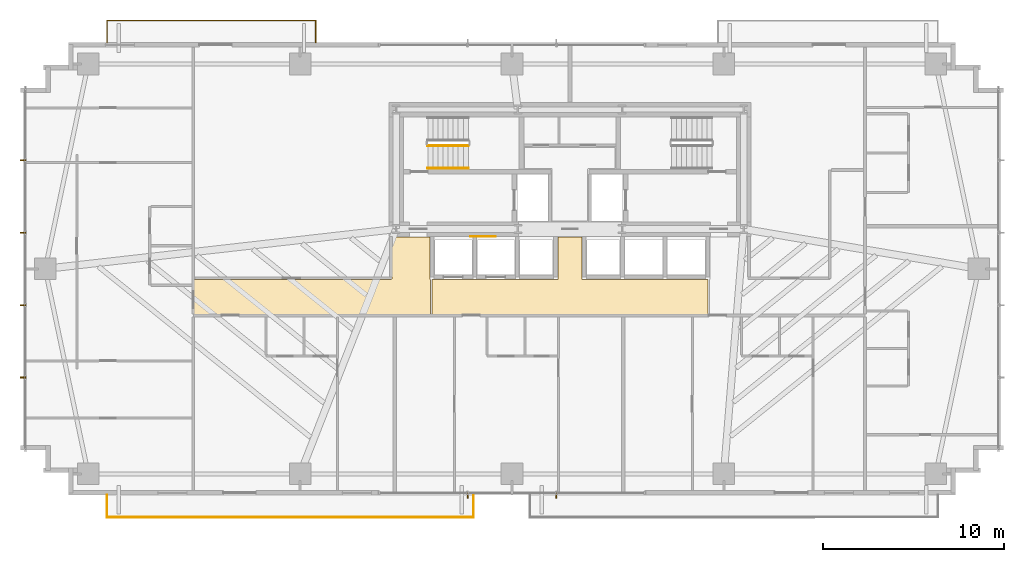
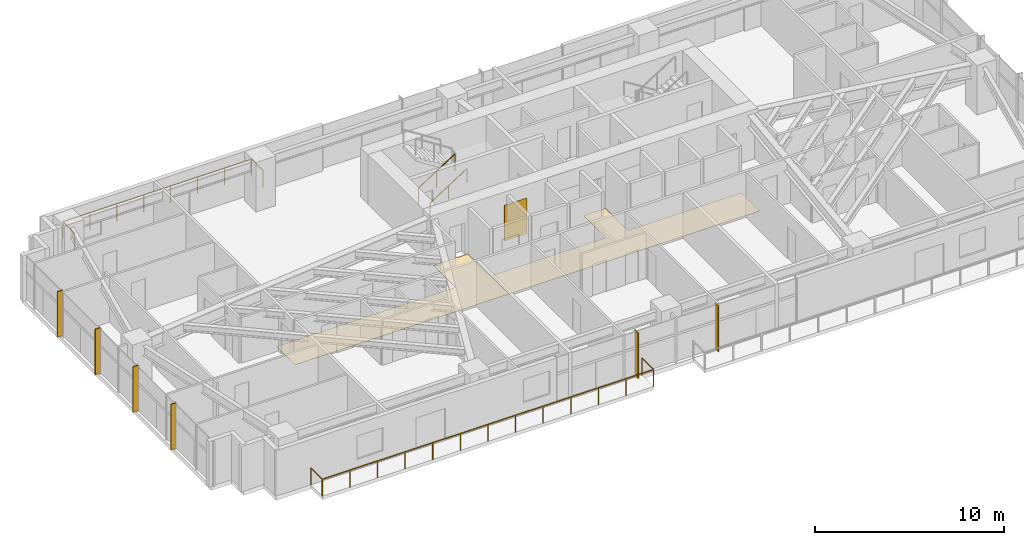
# One storey, part 23 of 25: 6 shading devices, 4 railings, 3 coverings.
"""IFC4 building model written with IfcOpenShell, lengths in metres."""

from ifc_helpers import new_model, si_unit, direction, frame, origin, origin_2d, place, context, subcontext, project, spatial, polyline, rectangle, outline, extrude, source, transform, mapped, material, layer, layer_set, type_object, type_shapes, element, save


model = new_model("IFC4")

# Units and contexts
model_context = context("Model", 3, precision=1e-05, world=origin(), true_north=direction((0.0, 1.0)))
body_context = subcontext(model_context, "Body", "Model", "MODEL_VIEW")
ifc_project = project(units=[si_unit("LENGTHUNIT", "METRE"), si_unit("AREAUNIT", "SQUARE_METRE"), si_unit("VOLUMEUNIT", "CUBIC_METRE"), si_unit("PLANEANGLEUNIT", "RADIAN"), si_unit("MASSUNIT", "GRAM", prefix="KILO")], contexts=[model_context])

# Site, building, storey
site_placement = place(None, origin())
site = spatial("IfcSite", under=ifc_project, at=site_placement, CompositionType="ELEMENT")
building_placement = place(site_placement, origin())
building = spatial("IfcBuilding", under=site, at=building_placement, Name="Astriad Promenade Condominiums", CompositionType="ELEMENT")
storey_placement = place(building_placement, frame((0.0, 0.0, 45.39990234375)))
storey = spatial("IfcBuildingStorey", under=building, at=storey_placement, Name="L12", CompositionType="ELEMENT", Elevation=45.39990234375)

# Coverings
ifc_material_1 = material(Name="Polished Lakefront Terrazzo Flooring")
ifc_layer_1 = layer(ifc_material_1, 0.02001953125)
ifc_layer_set_1 = layer_set([ifc_layer_1], Name="Polished Lakefront Terrazzo Flooring")
covering_type_1 = type_object("IfcCoveringType", Name="COV-FLOR-TERRAZZO-20", PredefinedType="FLOORING", material=ifc_layer_set_1)
covering_1_placement = place(storey_placement, origin())
element("IfcCovering", 1, at=covering_1_placement, inside=storey, type_object=covering_type_1, Name="FLR-L12-LLB", PredefinedType="FLOORING", context=body_context, shape_type="SweptSolid", body=[
    extrude(outline(polyline([(43.610107421875, 14.610107421875), (43.610107421875, 12.669921875), (28.389892578125, 12.669921875), (28.389892578125, 14.610107421875), (35.300048828125, 14.610107421875), (35.303955078125, 14.610107421875), (35.307861328125, 14.61083984375), (35.3115234375, 14.61181640625), (35.315185546875, 14.613037109375), (35.31884765625, 14.61474609375), (35.322265625, 14.61669921875), (35.325439453125, 14.619140625), (35.328369140625, 14.62158203125), (35.330810546875, 14.62451171875), (35.333251953125, 14.627685546875), (35.335205078125, 14.631103515625), (35.3369140625, 14.634765625), (35.33837890625, 14.638427734375), (35.339111328125, 14.64208984375), (35.33984375, 14.64599609375), (35.340087890625, 14.64990234375), (35.340087890625, 16.9599609375), (36.659912109375, 16.9599609375), (36.659912109375, 14.64990234375), (36.66015625, 14.64599609375), (36.660888671875, 14.64208984375), (36.66162109375, 14.638427734375), (36.6630859375, 14.634765625), (36.664794921875, 14.631103515625), (36.666748046875, 14.627685546875), (36.669189453125, 14.62451171875), (36.671630859375, 14.62158203125), (36.674560546875, 14.619140625), (36.677734375, 14.61669921875), (36.68115234375, 14.61474609375), (36.684814453125, 14.613037109375), (36.6884765625, 14.61181640625), (36.692138671875, 14.61083984375), (36.696044921875, 14.610107421875), (36.699951171875, 14.610107421875), (43.610107421875, 14.610107421875)])), origin(), (0.0, 0.0, 1.0), 0.02001953125),
])
covering_2_placement = place(storey_placement, origin())
element("IfcCovering", 2, at=covering_2_placement, inside=storey, type_object=covering_type_1, Name="FLR-L12-COR-2", PredefinedType="FLOORING", context=body_context, shape_type="SweptSolid", body=[
    extrude(outline(polyline([(28.300048828125, 12.669921875), (15.239990234375, 12.669921875), (15.239990234375, 14.6201171875), (26.1201171875, 14.6201171875), (26.123779296875, 14.6201171875), (26.127685546875, 14.620849609375), (26.131591796875, 14.62158203125), (26.13525390625, 14.623046875), (26.138916015625, 14.624755859375), (26.14208984375, 14.626708984375), (26.1455078125, 14.629150390625), (26.148193359375, 14.631591796875), (26.15087890625, 14.634521484375), (26.1533203125, 14.6376953125), (26.1552734375, 14.64111328125), (26.156982421875, 14.644775390625), (26.158203125, 14.6484375), (26.1591796875, 14.652099609375), (26.159912109375, 14.656005859375), (26.159912109375, 14.659912109375), (26.159912109375, 16.9599609375), (28.260009765625, 16.9599609375), (28.260009765625, 14.64990234375), (28.26025390625, 14.64599609375), (28.2607421875, 14.64208984375), (28.26171875, 14.638427734375), (28.262939453125, 14.634765625), (28.2646484375, 14.631103515625), (28.2666015625, 14.627685546875), (28.26904296875, 14.62451171875), (28.271728515625, 14.62158203125), (28.274658203125, 14.619140625), (28.27783203125, 14.61669921875), (28.281005859375, 14.61474609375), (28.28466796875, 14.613037109375), (28.288330078125, 14.61181640625), (28.292236328125, 14.61083984375), (28.296142578125, 14.610107421875), (28.300048828125, 14.610107421875), (28.300048828125, 12.669921875)])), origin(), (0.0, 0.0, 1.0), 0.02001953125),
])

# Shading devices
ifc_material_2 = material(Name="Anodised aluminium 6063-T6 Black Fin", Category="aluminium")
shading_device_type = type_object("IfcShadingDeviceType", Name="FIN-BLACK-320", PredefinedType="USERDEFINED", material=ifc_material_2)
shared_shape_1 = source(origin(), body_context, "Body", "SweptSolid", [
    extrude(rectangle(XDim=0.06494140625, YDim=0.320068359375, at=origin_2d()), origin(), (0.0, 0.0, 1.0), 2.93994140625),
])
type_shapes(shading_device_type, [shared_shape_1])
for number, where, z_axis, x_axis, name in (
    (3, (5.7900390625, 9.199951171875, 0.000244140625), (0.0, 0.0, 1.0), (0.0, 1.0, 0.0), "CW-L12-W-FIN-01"),
    (4, (5.7900390625, 13.199951171875, 0.000244140625), (0.0, 0.0, 1.0), (0.0, 1.0, 0.0), "CW-L12-W-FIN-02"),
    (5, (5.7900390625, 17.199951171875, 0.000244140625), (0.0, 0.0, 1.0), (0.0, 1.0, 0.0), "CW-L12-W-FIN-03"),
    (6, (5.7900390625, 21.199951171875, 0.000244140625), (0.0, 0.0, 1.0), (0.0, 1.0, 0.0), "CW-L12-W-FIN-04"),
    (7, (35.25, 2.68994140625, 0.000244140625), (0.0, 0.0, 1.0), (-1.0, 0.0, 0.0), "CW-L12-S-FIN-01"),
    (8, (30.35009765625, 2.68994140625, 0.000244140625), (0.0, 0.0, 1.0), (-1.0, 0.0, 0.0), "CW-L12-S-FIN-02"),
):
    element("IfcShadingDevice", number, at=place(storey_placement, frame(where, z_axis=z_axis, x_axis=x_axis)), inside=storey, type_object=shading_device_type, Name=name, ObjectType="FIN", PredefinedType="USERDEFINED", context=body_context, shape_type="MappedRepresentation", body=[
        mapped(shared_shape_1, transform((0.0, 0.0, 0.0), scale=1.0)),
    ])

# Railings
ifc_material_3 = material(Name="Laminated Glass and Stainless Steel Balustrade", Category="steel")
railing_type_1 = type_object("IfcRailingType", Name="GRD-BALC-1120", PredefinedType="BALUSTRADE", material=ifc_material_3)
shared_shape_2 = source(origin(), body_context, "Body", "SweptSolid", [
    extrude(rectangle(XDim=0.048095703125, YDim=0.048095703125, at=origin_2d()), frame((0.0, 0.0, 1.09619140625), z_axis=(0.0, -1.0, 0.0), x_axis=(1.0, 0.0, 0.0)), (0.0, 0.0, 1.0), 1.219970703125),
    extrude(rectangle(XDim=0.048095703125, YDim=0.048095703125, at=origin_2d()), frame((0.0, -1.219970703125, 1.09619140625), z_axis=(1.0, 0.0, 0.0), x_axis=(0.0, 1.0, 0.0)), (0.0, 0.0, 1.0), 20.236083984375),
    extrude(rectangle(XDim=0.048095703125, YDim=0.048095703125, at=origin_2d()), frame((20.236083984375, -1.219970703125, 1.09619140625), z_axis=(0.0, 1.0, 0.0), x_axis=(-1.0, 0.0, 0.0)), (0.0, 0.0, 1.0), 1.219970703125),
    extrude(rectangle(XDim=0.0419921875, YDim=0.0419921875, at=origin_2d()), origin(), (0.0, 0.0, 1.0), 1.072021484375),
    extrude(rectangle(XDim=0.0419921875, YDim=0.0419921875, at=origin_2d()), frame((0.0, -1.219970703125, 0.0)), (0.0, 0.0, 1.0), 1.072021484375),
    extrude(rectangle(XDim=0.0419921875, YDim=0.0419921875, at=origin_2d()), frame((1.686279296875, -1.219970703125, 0.0)), (0.0, 0.0, 1.0), 1.072021484375),
    extrude(rectangle(XDim=0.0419921875, YDim=0.0419921875, at=origin_2d()), frame((3.37255859375, -1.219970703125, 0.0)), (0.0, 0.0, 1.0), 1.072021484375),
    extrude(rectangle(XDim=0.0419921875, YDim=0.0419921875, at=origin_2d()), frame((5.05908203125, -1.219970703125, 0.0)), (0.0, 0.0, 1.0), 1.072021484375),
    extrude(rectangle(XDim=0.0419921875, YDim=0.0419921875, at=origin_2d()), frame((6.745361328125, -1.219970703125, 0.0)), (0.0, 0.0, 1.0), 1.072021484375),
    extrude(rectangle(XDim=0.0419921875, YDim=0.0419921875, at=origin_2d()), frame((8.431640625, -1.219970703125, 0.0)), (0.0, 0.0, 1.0), 1.072021484375),
    extrude(rectangle(XDim=0.0419921875, YDim=0.0419921875, at=origin_2d()), frame((10.1181640625, -1.219970703125, 0.0)), (0.0, 0.0, 1.0), 1.072021484375),
    extrude(rectangle(XDim=0.0419921875, YDim=0.0419921875, at=origin_2d()), frame((11.804443359375, -1.219970703125, 0.0)), (0.0, 0.0, 1.0), 1.072021484375),
    extrude(rectangle(XDim=0.0419921875, YDim=0.0419921875, at=origin_2d()), frame((13.49072265625, -1.219970703125, 0.0)), (0.0, 0.0, 1.0), 1.072021484375),
    extrude(rectangle(XDim=0.0419921875, YDim=0.0419921875, at=origin_2d()), frame((15.177001953125, -1.219970703125, 0.0)), (0.0, 0.0, 1.0), 1.072021484375),
    extrude(rectangle(XDim=0.0419921875, YDim=0.0419921875, at=origin_2d()), frame((16.86328125, -1.219970703125, 0.0)), (0.0, 0.0, 1.0), 1.072021484375),
    extrude(rectangle(XDim=0.0419921875, YDim=0.0419921875, at=origin_2d()), frame((18.5498046875, -1.219970703125, 0.0)), (0.0, 0.0, 1.0), 1.072021484375),
    extrude(rectangle(XDim=0.0419921875, YDim=0.0419921875, at=origin_2d()), frame((20.236083984375, -1.219970703125, 0.0)), (0.0, 0.0, 1.0), 1.072021484375),
    extrude(rectangle(XDim=0.0419921875, YDim=0.0419921875, at=origin_2d()), frame((20.236083984375, 0.0, 0.0)), (0.0, 0.0, 1.0), 1.072021484375),
])
railing_1_placement = place(storey_placement, frame((10.43603515625, 2.699951171875, 0.0)))
element("IfcRailing", 9, at=railing_1_placement, inside=storey, type_object=railing_type_1, Name="GRD-BALC-L12-SW", PredefinedType="BALUSTRADE", context=body_context, shape_type="MappedRepresentation", body=[
    mapped(shared_shape_2, transform((0.0, 0.0, 0.0), scale=1.0)),
])
shared_shape_3 = source(origin(), body_context, "Body", "SweptSolid", [
    extrude(rectangle(XDim=0.048095703125, YDim=0.048095703125, at=origin_2d()), frame((0.0, 0.0, 1.09619140625), z_axis=(0.0, 1.0, 0.0), x_axis=(-1.0, 0.0, 0.0)), (0.0, 0.0, 1.0), 1.219970703125),
    extrude(rectangle(XDim=0.048095703125, YDim=0.048095703125, at=origin_2d()), frame((0.0, 1.219970703125, 1.09619140625), z_axis=(-1.0, 0.0, 0.0), x_axis=(0.0, -1.0, 0.0)), (0.0, 0.0, 1.0), 11.52392578125),
    extrude(rectangle(XDim=0.048095703125, YDim=0.048095703125, at=origin_2d()), frame((-11.52392578125, 1.219970703125, 1.09619140625), z_axis=(0.0, -1.0, 0.0), x_axis=(1.0, 0.0, 0.0)), (0.0, 0.0, 1.0), 1.219970703125),
    extrude(rectangle(XDim=0.0419921875, YDim=0.0419921875, at=origin_2d()), origin(), (0.0, 0.0, 1.0), 1.072021484375),
    extrude(rectangle(XDim=0.0419921875, YDim=0.0419921875, at=origin_2d()), frame((0.0, 1.219970703125, 0.0)), (0.0, 0.0, 1.0), 1.072021484375),
    extrude(rectangle(XDim=0.0419921875, YDim=0.0419921875, at=origin_2d()), frame((-1.646240234375, 1.219970703125, 0.0)), (0.0, 0.0, 1.0), 1.072021484375),
    extrude(rectangle(XDim=0.0419921875, YDim=0.0419921875, at=origin_2d()), frame((-3.29248046875, 1.219970703125, 0.0)), (0.0, 0.0, 1.0), 1.072021484375),
    extrude(rectangle(XDim=0.0419921875, YDim=0.0419921875, at=origin_2d()), frame((-4.938720703125, 1.219970703125, 0.0)), (0.0, 0.0, 1.0), 1.072021484375),
    extrude(rectangle(XDim=0.0419921875, YDim=0.0419921875, at=origin_2d()), frame((-6.585205078125, 1.219970703125, 0.0)), (0.0, 0.0, 1.0), 1.072021484375),
    extrude(rectangle(XDim=0.0419921875, YDim=0.0419921875, at=origin_2d()), frame((-8.2314453125, 1.219970703125, 0.0)), (0.0, 0.0, 1.0), 1.072021484375),
    extrude(rectangle(XDim=0.0419921875, YDim=0.0419921875, at=origin_2d()), frame((-9.877685546875, 1.219970703125, 0.0)), (0.0, 0.0, 1.0), 1.072021484375),
    extrude(rectangle(XDim=0.0419921875, YDim=0.0419921875, at=origin_2d()), frame((-11.52392578125, 1.219970703125, 0.0)), (0.0, 0.0, 1.0), 1.072021484375),
    extrude(rectangle(XDim=0.0419921875, YDim=0.0419921875, at=origin_2d()), frame((-11.52392578125, 0.0, 0.0)), (0.0, 0.0, 1.0), 1.072021484375),
])
type_shapes(railing_type_1, [shared_shape_2, shared_shape_3])
railing_2_placement = place(storey_placement, frame((21.9599609375, 27.699951171875, 0.0)))
element("IfcRailing", 10, at=railing_2_placement, inside=storey, type_object=railing_type_1, Name="GRD-BALC-L12-NW", PredefinedType="BALUSTRADE", context=body_context, shape_type="MappedRepresentation", body=[
    mapped(shared_shape_3, transform((0.0, 0.0, 0.0), scale=1.0)),
])
ifc_material_4 = material(Name="Painted Galvanised Steel Guardrail", Category="steel")
railing_type_2 = type_object("IfcRailingType", Name="GRD-STAIR-1100", PredefinedType="GUARDRAIL", material=ifc_material_4)
shared_shape_4 = source(origin(), body_context, "Body", "SweptSolid", [
    extrude(rectangle(XDim=0.048095703125, YDim=0.048095703125, at=origin_2d()), frame((0.0, 0.0, 1.076171875), z_axis=(0.8442293374, 0.0, 0.53598211339), x_axis=(0.0, 1.0, 0.0)), (0.0, 0.0, 1.0), 2.6533203125),
    extrude(rectangle(XDim=0.0419921875, YDim=0.0419921875, at=origin_2d()), origin(), (0.0, 0.0, 1.0), 1.052001953125),
    extrude(rectangle(XDim=0.0419921875, YDim=0.0419921875, at=origin_2d()), frame((1.1201171875, 0.0, 0.7109375)), (0.0, 0.0, 1.0), 1.052001953125),
    extrude(rectangle(XDim=0.0419921875, YDim=0.0419921875, at=origin_2d()), frame((2.239990234375, 0.0, 1.422119140625)), (0.0, 0.0, 1.0), 1.052001953125),
])
type_shapes(railing_type_2, [shared_shape_4])
railing_3_placement = place(storey_placement, frame((28.14990234375, 22.0, 0.177978515625)))
element("IfcRailing", 11, at=railing_3_placement, inside=storey, type_object=railing_type_2, Name="L12 ST-1 stair guard 1", PredefinedType="GUARDRAIL", context=body_context, shape_type="MappedRepresentation", body=[
    mapped(shared_shape_4, transform((0.0, 0.0, 0.0), scale=1.0)),
])
ifc_material_5 = material(Name="Brushed Stainless Steel Handrail", Category="steel")
railing_type_3 = type_object("IfcRailingType", Name="HRL-STAIR-920", PredefinedType="HANDRAIL", material=ifc_material_5)
shared_shape_5 = source(origin(), body_context, "Body", "SweptSolid", [
    extrude(rectangle(XDim=0.048095703125, YDim=0.048095703125, at=origin_2d()), frame((0.0, 0.0, 0.8759765625), z_axis=(0.8442293374, 0.0, 0.53598211339), x_axis=(0.0, 1.0, 0.0)), (0.0, 0.0, 1.0), 2.6533203125),
    extrude(rectangle(XDim=0.0419921875, YDim=0.0419921875, at=origin_2d()), origin(), (0.0, 0.0, 1.0), 0.851806640625),
    extrude(rectangle(XDim=0.0419921875, YDim=0.0419921875, at=origin_2d()), frame((1.1201171875, 0.0, 0.7109375)), (0.0, 0.0, 1.0), 0.851806640625),
    extrude(rectangle(XDim=0.0419921875, YDim=0.0419921875, at=origin_2d()), frame((2.239990234375, 0.0, 1.422119140625)), (0.0, 0.0, 1.0), 0.851806640625),
])
type_shapes(railing_type_3, [shared_shape_5])
railing_4_placement = place(storey_placement, frame((28.14990234375, 20.75, 0.177978515625)))
element("IfcRailing", 12, at=railing_4_placement, inside=storey, type_object=railing_type_3, Name="L12 ST-1 stair handrail 1", PredefinedType="HANDRAIL", context=body_context, shape_type="MappedRepresentation", body=[
    mapped(shared_shape_5, transform((0.0, 0.0, 0.0), scale=1.0)),
])

# Covering
ifc_material_6 = material(Name="Fire-Retardant Acoustic Oak Wall Cladding")
ifc_layer_2 = layer(ifc_material_6, 0.02490234375)
ifc_layer_set_2 = layer_set([ifc_layer_2], Name="Fire-Retardant Acoustic Oak Wall Cladding")
covering_type_2 = type_object("IfcCoveringType", Name="COV-CLAD-TIMBER-25", PredefinedType="CLADDING", material=ifc_layer_set_2)
shared_shape_6 = source(origin(), body_context, "Body", "SweptSolid", [
    extrude(rectangle(XDim=1.39990234375, YDim=0.02490234375, at=origin_2d()), origin(), (0.0, 0.0, 1.0), 2.300048828125),
])
type_shapes(covering_type_2, [shared_shape_6])
covering_3_placement = place(storey_placement, frame((31.199951171875, 16.991455078125, 0.05029296875), z_axis=(0.0, 0.0, 1.0), x_axis=(1.0, 0.0, 0.0)))
element("IfcCovering", 13, at=covering_3_placement, inside=storey, type_object=covering_type_2, Name="CLAD-LOB-L12", PredefinedType="CLADDING", context=body_context, shape_type="MappedRepresentation", body=[
    mapped(shared_shape_6, transform((0.0, 0.0, 0.0), scale=1.0)),
])

save(model, "model.ifc")
